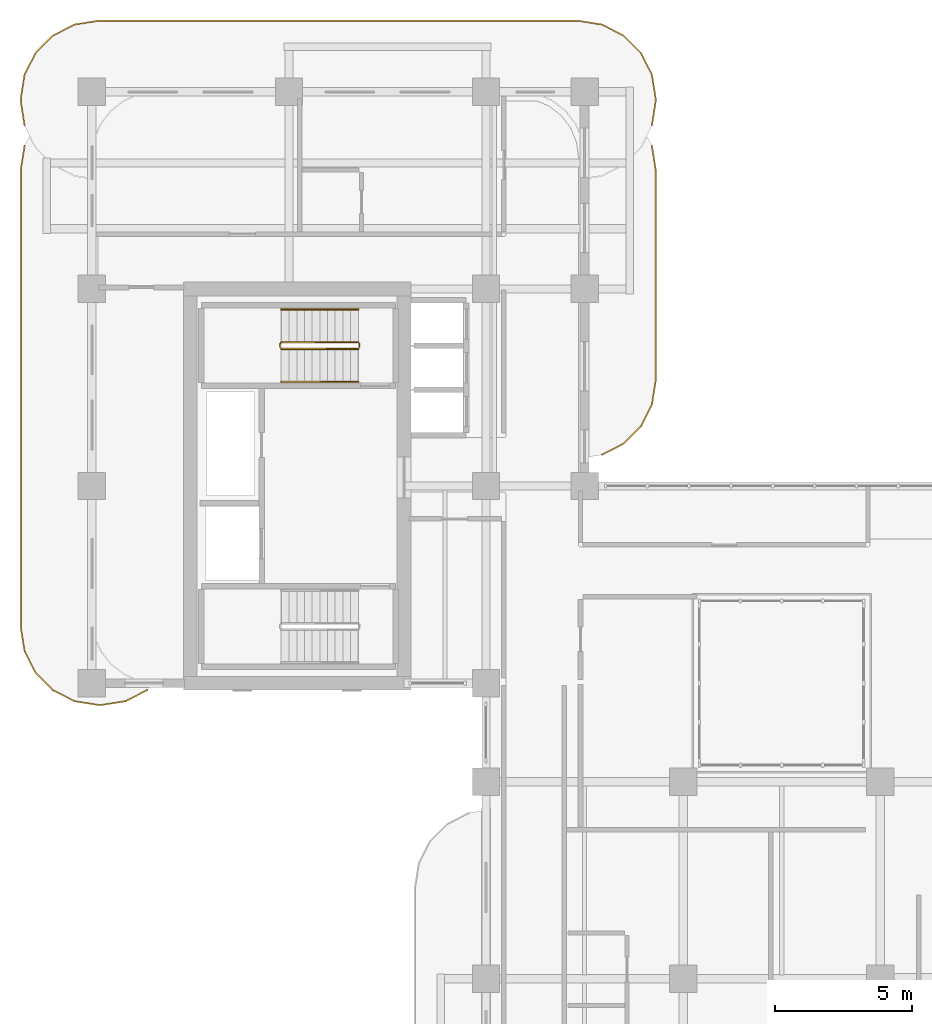
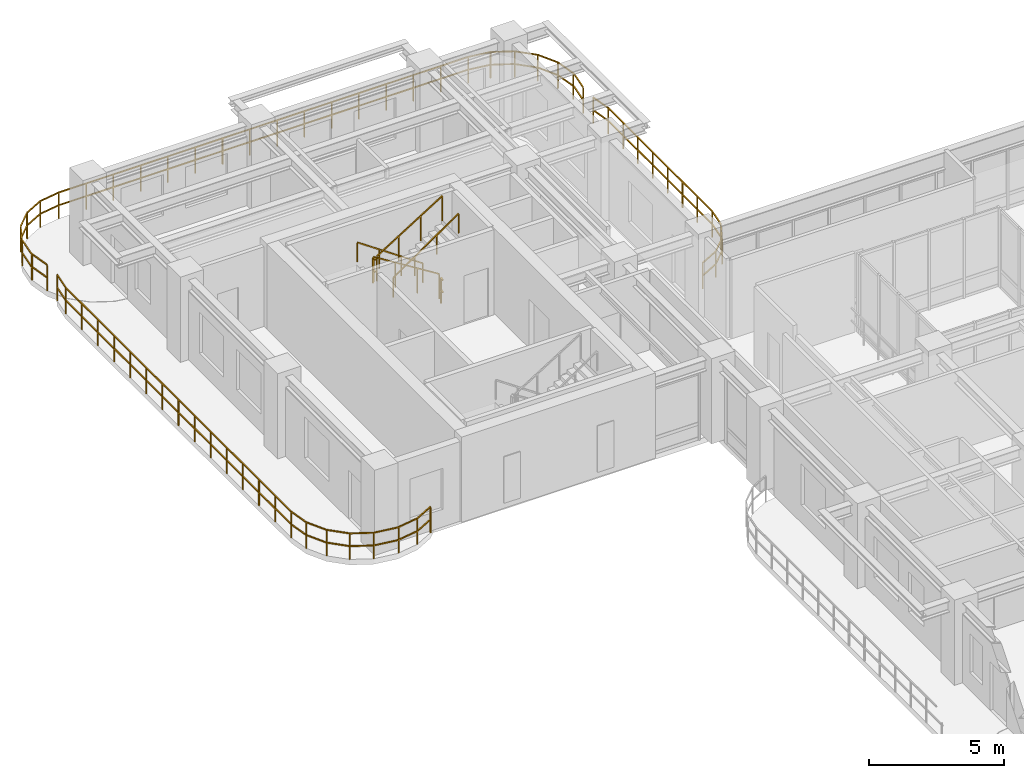
# One storey, part 20 of 20: 9 railings.
"""IFC4 building model written with IfcOpenShell, lengths in metres."""

from ifc_helpers import new_model, si_unit, derived_unit, direction, frame, origin, origin_2d, place, context, subcontext, project, spatial, rectangle, extrude, material, type_object, element, save


model = new_model("IFC4")

# Units and contexts
model_context = context("Model", 3, precision=1e-05, world=origin(), true_north=direction((0.0, 1.0)))
body_context = subcontext(model_context, "Body", "Model", "MODEL_VIEW")
ifc_project = project(units=[si_unit("LENGTHUNIT", "METRE"), si_unit("AREAUNIT", "SQUARE_METRE"), si_unit("VOLUMEUNIT", "CUBIC_METRE"), si_unit("PLANEANGLEUNIT", "RADIAN"), si_unit("MASSUNIT", "GRAM", prefix="KILO"), si_unit("THERMODYNAMICTEMPERATUREUNIT", "KELVIN"), si_unit("POWERUNIT", "WATT"), derived_unit("THERMALTRANSMITTANCEUNIT", [(si_unit("POWERUNIT", "WATT"), 1), (si_unit("AREAUNIT", "SQUARE_METRE"), -1), (si_unit("THERMODYNAMICTEMPERATUREUNIT", "KELVIN"), -1)])], contexts=[model_context])

# Site, building, storey
site_placement = place(None, origin())
site = spatial("IfcSite", under=ifc_project, at=site_placement, CompositionType="ELEMENT")
building_placement = place(site_placement, origin())
building = spatial("IfcBuilding", under=site, at=building_placement, Name="Zahravan Archway Hotel and Residences", CompositionType="ELEMENT")
storey_placement = place(building_placement, frame((0.0, 0.0, 161.85009765625)))
storey = spatial("IfcBuildingStorey", under=building, at=storey_placement, Name="L40", CompositionType="ELEMENT", Elevation=161.85009765625)

# Railings
ifc_material_1 = material(Name="Bronze & Laminated Glass Balustrade", Category="glass")
railing_type_1 = type_object("IfcRailingType", Name="RL-BAL-1200", PredefinedType="BALUSTRADE", material=ifc_material_1)
railing_1_placement = place(storey_placement, frame((-2.46044921875, 45.5693359375, 0.0)))
element("IfcRailing", 1, at=railing_1_placement, inside=storey, type_object=railing_type_1, Name="L40 Balustrade RL-SLB-BAL-L40-NB-1", PredefinedType="BALUSTRADE", context=body_context, shape_type="SweptSolid", body=[
    extrude(rectangle(XDim=0.048095703125, YDim=0.048095703125, at=origin_2d()), frame((0.0, 0.0, 1.17578125), z_axis=(-0.156623399917, 0.987658397726, 0.0), x_axis=(-0.987658397726, -0.156623399917, 0.0)), (0.0, 0.0, 1.0), 0.8916015625),
    extrude(rectangle(XDim=0.048095703125, YDim=0.048095703125, at=origin_2d()), frame((0.0, 0.0, 0.60009765625), z_axis=(-0.156623399917, 0.987658397726, 0.0), x_axis=(-0.987658397726, -0.156623399917, 0.0)), (0.0, 0.0, 1.0), 0.8916015625),
    extrude(rectangle(XDim=0.048095703125, YDim=0.048095703125, at=origin_2d()), frame((-0.1396484375, 0.880615234375, 1.17578125), z_axis=(0.0, 1.0, 0.0), x_axis=(-1.0, 0.0, 0.0)), (0.0, 0.0, 1.0), 0.10009765625),
    extrude(rectangle(XDim=0.048095703125, YDim=0.048095703125, at=origin_2d()), frame((-0.1396484375, 0.880615234375, 0.60009765625), z_axis=(0.0, 1.0, 0.0), x_axis=(-1.0, 0.0, 0.0)), (0.0, 0.0, 1.0), 0.10009765625),
    extrude(rectangle(XDim=0.048095703125, YDim=0.048095703125, at=origin_2d()), frame((-0.1396484375, 0.980712890625, 1.17578125), z_axis=(0.156623399917, 0.987658397726, 0.0), x_axis=(-0.987658397726, 0.156623399917, 0.0)), (0.0, 0.0, 1.0), 0.8916015625),
    extrude(rectangle(XDim=0.048095703125, YDim=0.048095703125, at=origin_2d()), frame((-0.1396484375, 0.980712890625, 0.60009765625), z_axis=(0.156623399917, 0.987658397726, 0.0), x_axis=(-0.987658397726, 0.156623399917, 0.0)), (0.0, 0.0, 1.0), 0.8916015625),
    extrude(rectangle(XDim=0.048095703125, YDim=0.048095703125, at=origin_2d()), frame((0.0, 1.861328125, 1.17578125), z_axis=(0.453991409995, 0.891006060389, 0.0), x_axis=(-0.891006060389, 0.453991409995, 0.0)), (0.0, 0.0, 1.0), 0.8916015625),
    extrude(rectangle(XDim=0.048095703125, YDim=0.048095703125, at=origin_2d()), frame((0.0, 1.861328125, 0.60009765625), z_axis=(0.453991409995, 0.891006060389, 0.0), x_axis=(-0.891006060389, 0.453991409995, 0.0)), (0.0, 0.0, 1.0), 0.8916015625),
    extrude(rectangle(XDim=0.048095703125, YDim=0.048095703125, at=origin_2d()), frame((0.40478515625, 2.65576171875, 1.17578125), z_axis=(0.706969864397, 0.70724367147, 0.0), x_axis=(-0.70724367147, 0.706969864397, 0.0)), (0.0, 0.0, 1.0), 0.8916015625),
    extrude(rectangle(XDim=0.048095703125, YDim=0.048095703125, at=origin_2d()), frame((0.40478515625, 2.65576171875, 0.60009765625), z_axis=(0.706969864397, 0.70724367147, 0.0), x_axis=(-0.70724367147, 0.706969864397, 0.0)), (0.0, 0.0, 1.0), 0.8916015625),
    extrude(rectangle(XDim=0.048095703125, YDim=0.048095703125, at=origin_2d()), frame((1.03515625, 3.286376953125, 1.17578125), z_axis=(0.891062476022, 0.45388067135, 0.0), x_axis=(-0.45388067135, 0.891062476022, 0.0)), (0.0, 0.0, 1.0), 0.891845703125),
    extrude(rectangle(XDim=0.048095703125, YDim=0.048095703125, at=origin_2d()), frame((1.03515625, 3.286376953125, 0.60009765625), z_axis=(0.891062476022, 0.45388067135, 0.0), x_axis=(-0.45388067135, 0.891062476022, 0.0)), (0.0, 0.0, 1.0), 0.891845703125),
    extrude(rectangle(XDim=0.048095703125, YDim=0.048095703125, at=origin_2d()), frame((1.829833984375, 3.691162109375, 1.17578125), z_axis=(0.987700720307, 0.156356282588, 0.0), x_axis=(-0.156356282588, 0.987700720307, 0.0)), (0.0, 0.0, 1.0), 0.8916015625),
    extrude(rectangle(XDim=0.048095703125, YDim=0.048095703125, at=origin_2d()), frame((1.829833984375, 3.691162109375, 0.60009765625), z_axis=(0.987700720307, 0.156356282588, 0.0), x_axis=(-0.156356282588, 0.987700720307, 0.0)), (0.0, 0.0, 1.0), 0.8916015625),
    extrude(rectangle(XDim=0.048095703125, YDim=0.048095703125, at=origin_2d()), frame((2.71044921875, 3.83056640625, 1.17578125), z_axis=(1.0, 0.0, 0.0), x_axis=(0.0, 1.0, 0.0)), (0.0, 0.0, 1.0), 17.5),
    extrude(rectangle(XDim=0.048095703125, YDim=0.048095703125, at=origin_2d()), frame((2.71044921875, 3.83056640625, 0.60009765625), z_axis=(1.0, 0.0, 0.0), x_axis=(0.0, 1.0, 0.0)), (0.0, 0.0, 1.0), 17.5),
    extrude(rectangle(XDim=0.048095703125, YDim=0.048095703125, at=origin_2d()), frame((20.21044921875, 3.83056640625, 1.17578125), z_axis=(0.987700720307, -0.156356282588, 0.0), x_axis=(0.156356282588, 0.987700720307, 0.0)), (0.0, 0.0, 1.0), 0.8916015625),
    extrude(rectangle(XDim=0.048095703125, YDim=0.048095703125, at=origin_2d()), frame((20.21044921875, 3.83056640625, 0.60009765625), z_axis=(0.987700720307, -0.156356282588, 0.0), x_axis=(0.156356282588, 0.987700720307, 0.0)), (0.0, 0.0, 1.0), 0.8916015625),
    extrude(rectangle(XDim=0.048095703125, YDim=0.048095703125, at=origin_2d()), frame((21.091064453125, 3.691162109375, 1.17578125), z_axis=(0.891062476022, -0.45388067135, 0.0), x_axis=(0.45388067135, 0.891062476022, 0.0)), (0.0, 0.0, 1.0), 0.891845703125),
    extrude(rectangle(XDim=0.048095703125, YDim=0.048095703125, at=origin_2d()), frame((21.091064453125, 3.691162109375, 0.60009765625), z_axis=(0.891062476022, -0.45388067135, 0.0), x_axis=(0.45388067135, 0.891062476022, 0.0)), (0.0, 0.0, 1.0), 0.891845703125),
    extrude(rectangle(XDim=0.048095703125, YDim=0.048095703125, at=origin_2d()), frame((21.8857421875, 3.286376953125, 1.17578125), z_axis=(0.706969864397, -0.70724367147, 0.0), x_axis=(0.70724367147, 0.706969864397, 0.0)), (0.0, 0.0, 1.0), 0.8916015625),
    extrude(rectangle(XDim=0.048095703125, YDim=0.048095703125, at=origin_2d()), frame((21.8857421875, 3.286376953125, 0.60009765625), z_axis=(0.706969864397, -0.70724367147, 0.0), x_axis=(0.70724367147, 0.706969864397, 0.0)), (0.0, 0.0, 1.0), 0.8916015625),
    extrude(rectangle(XDim=0.048095703125, YDim=0.048095703125, at=origin_2d()), frame((22.51611328125, 2.65576171875, 1.17578125), z_axis=(0.453991409995, -0.891006060389, 0.0), x_axis=(0.891006060389, 0.453991409995, 0.0)), (0.0, 0.0, 1.0), 0.8916015625),
    extrude(rectangle(XDim=0.048095703125, YDim=0.048095703125, at=origin_2d()), frame((22.51611328125, 2.65576171875, 0.60009765625), z_axis=(0.453991409995, -0.891006060389, 0.0), x_axis=(0.891006060389, 0.453991409995, 0.0)), (0.0, 0.0, 1.0), 0.8916015625),
    extrude(rectangle(XDim=0.048095703125, YDim=0.048095703125, at=origin_2d()), frame((22.9208984375, 1.861328125, 1.17578125), z_axis=(0.156623399917, -0.987658397726, 0.0), x_axis=(0.987658397726, 0.156623399917, 0.0)), (0.0, 0.0, 1.0), 0.8916015625),
    extrude(rectangle(XDim=0.048095703125, YDim=0.048095703125, at=origin_2d()), frame((22.9208984375, 1.861328125, 0.60009765625), z_axis=(0.156623399917, -0.987658397726, 0.0), x_axis=(0.987658397726, 0.156623399917, 0.0)), (0.0, 0.0, 1.0), 0.8916015625),
    extrude(rectangle(XDim=0.048095703125, YDim=0.048095703125, at=origin_2d()), frame((23.060546875, 0.980712890625, 1.17578125), z_axis=(0.0, -1.0, 0.0), x_axis=(1.0, 0.0, 0.0)), (0.0, 0.0, 1.0), 0.10009765625),
    extrude(rectangle(XDim=0.048095703125, YDim=0.048095703125, at=origin_2d()), frame((23.060546875, 0.980712890625, 0.60009765625), z_axis=(0.0, -1.0, 0.0), x_axis=(1.0, 0.0, 0.0)), (0.0, 0.0, 1.0), 0.10009765625),
    extrude(rectangle(XDim=0.048095703125, YDim=0.048095703125, at=origin_2d()), frame((23.060546875, 0.880615234375, 1.17578125), z_axis=(-0.156623399917, -0.987658397726, 0.0), x_axis=(0.987658397726, -0.156623399917, 0.0)), (0.0, 0.0, 1.0), 0.8916015625),
    extrude(rectangle(XDim=0.048095703125, YDim=0.048095703125, at=origin_2d()), frame((23.060546875, 0.880615234375, 0.60009765625), z_axis=(-0.156623399917, -0.987658397726, 0.0), x_axis=(0.987658397726, -0.156623399917, 0.0)), (0.0, 0.0, 1.0), 0.8916015625),
    extrude(rectangle(XDim=0.0419921875, YDim=0.0419921875, at=origin_2d()), origin(), (0.0, 0.0, 1.0), 1.15185546875),
    extrude(rectangle(XDim=0.0419921875, YDim=0.0419921875, at=origin_2d()), frame((-0.1396484375, 0.880615234375, 0.0)), (0.0, 0.0, 1.0), 1.15185546875),
    extrude(rectangle(XDim=0.0419921875, YDim=0.0419921875, at=origin_2d()), frame((0.0, 1.861328125, 0.0)), (0.0, 0.0, 1.0), 1.15185546875),
    extrude(rectangle(XDim=0.0419921875, YDim=0.0419921875, at=origin_2d()), frame((0.40478515625, 2.65576171875, 0.0)), (0.0, 0.0, 1.0), 1.15185546875),
    extrude(rectangle(XDim=0.0419921875, YDim=0.0419921875, at=origin_2d()), frame((1.03515625, 3.286376953125, 0.0)), (0.0, 0.0, 1.0), 1.15185546875),
    extrude(rectangle(XDim=0.0419921875, YDim=0.0419921875, at=origin_2d()), frame((1.829833984375, 3.691162109375, 0.0)), (0.0, 0.0, 1.0), 1.15185546875),
    extrude(rectangle(XDim=0.0419921875, YDim=0.0419921875, at=origin_2d()), frame((2.71044921875, 3.83056640625, 0.0)), (0.0, 0.0, 1.0), 1.15185546875),
    extrude(rectangle(XDim=0.0419921875, YDim=0.0419921875, at=origin_2d()), frame((3.877197265625, 3.83056640625, 0.0)), (0.0, 0.0, 1.0), 1.15185546875),
    extrude(rectangle(XDim=0.0419921875, YDim=0.0419921875, at=origin_2d()), frame((5.043701171875, 3.83056640625, 0.0)), (0.0, 0.0, 1.0), 1.15185546875),
    extrude(rectangle(XDim=0.0419921875, YDim=0.0419921875, at=origin_2d()), frame((6.21044921875, 3.83056640625, 0.0)), (0.0, 0.0, 1.0), 1.15185546875),
    extrude(rectangle(XDim=0.0419921875, YDim=0.0419921875, at=origin_2d()), frame((7.377197265625, 3.83056640625, 0.0)), (0.0, 0.0, 1.0), 1.15185546875),
    extrude(rectangle(XDim=0.0419921875, YDim=0.0419921875, at=origin_2d()), frame((8.543701171875, 3.83056640625, 0.0)), (0.0, 0.0, 1.0), 1.15185546875),
    extrude(rectangle(XDim=0.0419921875, YDim=0.0419921875, at=origin_2d()), frame((9.71044921875, 3.83056640625, 0.0)), (0.0, 0.0, 1.0), 1.15185546875),
    extrude(rectangle(XDim=0.0419921875, YDim=0.0419921875, at=origin_2d()), frame((10.877197265625, 3.83056640625, 0.0)), (0.0, 0.0, 1.0), 1.15185546875),
    extrude(rectangle(XDim=0.0419921875, YDim=0.0419921875, at=origin_2d()), frame((12.043701171875, 3.83056640625, 0.0)), (0.0, 0.0, 1.0), 1.15185546875),
    extrude(rectangle(XDim=0.0419921875, YDim=0.0419921875, at=origin_2d()), frame((13.21044921875, 3.83056640625, 0.0)), (0.0, 0.0, 1.0), 1.15185546875),
    extrude(rectangle(XDim=0.0419921875, YDim=0.0419921875, at=origin_2d()), frame((14.377197265625, 3.83056640625, 0.0)), (0.0, 0.0, 1.0), 1.15185546875),
    extrude(rectangle(XDim=0.0419921875, YDim=0.0419921875, at=origin_2d()), frame((15.543701171875, 3.83056640625, 0.0)), (0.0, 0.0, 1.0), 1.15185546875),
    extrude(rectangle(XDim=0.0419921875, YDim=0.0419921875, at=origin_2d()), frame((16.71044921875, 3.83056640625, 0.0)), (0.0, 0.0, 1.0), 1.15185546875),
    extrude(rectangle(XDim=0.0419921875, YDim=0.0419921875, at=origin_2d()), frame((17.877197265625, 3.83056640625, 0.0)), (0.0, 0.0, 1.0), 1.15185546875),
    extrude(rectangle(XDim=0.0419921875, YDim=0.0419921875, at=origin_2d()), frame((19.043701171875, 3.83056640625, 0.0)), (0.0, 0.0, 1.0), 1.15185546875),
    extrude(rectangle(XDim=0.0419921875, YDim=0.0419921875, at=origin_2d()), frame((20.21044921875, 3.83056640625, 0.0)), (0.0, 0.0, 1.0), 1.15185546875),
    extrude(rectangle(XDim=0.0419921875, YDim=0.0419921875, at=origin_2d()), frame((21.091064453125, 3.691162109375, 0.0)), (0.0, 0.0, 1.0), 1.15185546875),
    extrude(rectangle(XDim=0.0419921875, YDim=0.0419921875, at=origin_2d()), frame((21.8857421875, 3.286376953125, 0.0)), (0.0, 0.0, 1.0), 1.15185546875),
    extrude(rectangle(XDim=0.0419921875, YDim=0.0419921875, at=origin_2d()), frame((22.51611328125, 2.65576171875, 0.0)), (0.0, 0.0, 1.0), 1.15185546875),
    extrude(rectangle(XDim=0.0419921875, YDim=0.0419921875, at=origin_2d()), frame((22.9208984375, 1.861328125, 0.0)), (0.0, 0.0, 1.0), 1.15185546875),
    extrude(rectangle(XDim=0.0419921875, YDim=0.0419921875, at=origin_2d()), frame((23.060546875, 0.980712890625, 0.0)), (0.0, 0.0, 1.0), 1.15185546875),
    extrude(rectangle(XDim=0.0419921875, YDim=0.0419921875, at=origin_2d()), frame((22.9208984375, 0.0, 0.0)), (0.0, 0.0, 1.0), 1.15185546875),
])
railing_2_placement = place(storey_placement, frame((2.025146484375, 24.9443359375, 0.0)))
element("IfcRailing", 2, at=railing_2_placement, inside=storey, type_object=railing_type_1, Name="L40 Balustrade RL-SLB-BAL-L40-WB-1", PredefinedType="BALUSTRADE", context=body_context, shape_type="SweptSolid", body=[
    extrude(rectangle(XDim=0.048095703125, YDim=0.048095703125, at=origin_2d()), frame((0.0, 0.0, 1.17578125), z_axis=(-0.891006060389, -0.453991409995, 0.0), x_axis=(0.453991409995, -0.891006060389, 0.0)), (0.0, 0.0, 1.0), 0.8916015625),
    extrude(rectangle(XDim=0.048095703125, YDim=0.048095703125, at=origin_2d()), frame((0.0, 0.0, 0.60009765625), z_axis=(-0.891006060389, -0.453991409995, 0.0), x_axis=(0.453991409995, -0.891006060389, 0.0)), (0.0, 0.0, 1.0), 0.8916015625),
    extrude(rectangle(XDim=0.048095703125, YDim=0.048095703125, at=origin_2d()), frame((-0.79443359375, -0.40478515625, 1.17578125), z_axis=(-0.987658397726, -0.156623399917, 0.0), x_axis=(0.156623399917, -0.987658397726, 0.0)), (0.0, 0.0, 1.0), 0.8916015625),
    extrude(rectangle(XDim=0.048095703125, YDim=0.048095703125, at=origin_2d()), frame((-0.79443359375, -0.40478515625, 0.60009765625), z_axis=(-0.987658397726, -0.156623399917, 0.0), x_axis=(0.156623399917, -0.987658397726, 0.0)), (0.0, 0.0, 1.0), 0.8916015625),
    extrude(rectangle(XDim=0.048095703125, YDim=0.048095703125, at=origin_2d()), frame((-1.675048828125, -0.54443359375, 1.17578125), z_axis=(-1.0, 0.0, 0.0), x_axis=(0.0, -1.0, 0.0)), (0.0, 0.0, 1.0), 0.10009765625),
    extrude(rectangle(XDim=0.048095703125, YDim=0.048095703125, at=origin_2d()), frame((-1.675048828125, -0.54443359375, 0.60009765625), z_axis=(-1.0, 0.0, 0.0), x_axis=(0.0, -1.0, 0.0)), (0.0, 0.0, 1.0), 0.10009765625),
    extrude(rectangle(XDim=0.048095703125, YDim=0.048095703125, at=origin_2d()), frame((-1.775146484375, -0.54443359375, 1.17578125), z_axis=(-0.987658397726, 0.156623399917, 0.0), x_axis=(-0.156623399917, -0.987658397726, 0.0)), (0.0, 0.0, 1.0), 0.8916015625),
    extrude(rectangle(XDim=0.048095703125, YDim=0.048095703125, at=origin_2d()), frame((-1.775146484375, -0.54443359375, 0.60009765625), z_axis=(-0.987658397726, 0.156623399917, 0.0), x_axis=(-0.156623399917, -0.987658397726, 0.0)), (0.0, 0.0, 1.0), 0.8916015625),
    extrude(rectangle(XDim=0.048095703125, YDim=0.048095703125, at=origin_2d()), frame((-2.65576171875, -0.40478515625, 1.17578125), z_axis=(-0.891062476022, 0.45388067135, 0.0), x_axis=(-0.45388067135, -0.891062476022, 0.0)), (0.0, 0.0, 1.0), 0.891845703125),
    extrude(rectangle(XDim=0.048095703125, YDim=0.048095703125, at=origin_2d()), frame((-2.65576171875, -0.40478515625, 0.60009765625), z_axis=(-0.891062476022, 0.45388067135, 0.0), x_axis=(-0.45388067135, -0.891062476022, 0.0)), (0.0, 0.0, 1.0), 0.891845703125),
    extrude(rectangle(XDim=0.048095703125, YDim=0.048095703125, at=origin_2d()), frame((-3.450439453125, 0.0, 1.17578125), z_axis=(-0.707106781187, 0.707106781187, 0.0), x_axis=(-0.707106781187, -0.707106781187, 0.0)), (0.0, 0.0, 1.0), 0.891357421875),
    extrude(rectangle(XDim=0.048095703125, YDim=0.048095703125, at=origin_2d()), frame((-3.450439453125, 0.0, 0.60009765625), z_axis=(-0.707106781187, 0.707106781187, 0.0), x_axis=(-0.707106781187, -0.707106781187, 0.0)), (0.0, 0.0, 1.0), 0.891357421875),
    extrude(rectangle(XDim=0.048095703125, YDim=0.048095703125, at=origin_2d()), frame((-4.080810546875, 0.63037109375, 1.17578125), z_axis=(-0.45388067135, 0.891062476022, 0.0), x_axis=(-0.891062476022, -0.45388067135, 0.0)), (0.0, 0.0, 1.0), 0.891845703125),
    extrude(rectangle(XDim=0.048095703125, YDim=0.048095703125, at=origin_2d()), frame((-4.080810546875, 0.63037109375, 0.60009765625), z_axis=(-0.45388067135, 0.891062476022, 0.0), x_axis=(-0.891062476022, -0.45388067135, 0.0)), (0.0, 0.0, 1.0), 0.891845703125),
    extrude(rectangle(XDim=0.048095703125, YDim=0.048095703125, at=origin_2d()), frame((-4.485595703125, 1.425048828125, 1.17578125), z_axis=(-0.156623399917, 0.987658397726, 0.0), x_axis=(-0.987658397726, -0.156623399917, 0.0)), (0.0, 0.0, 1.0), 0.8916015625),
    extrude(rectangle(XDim=0.048095703125, YDim=0.048095703125, at=origin_2d()), frame((-4.485595703125, 1.425048828125, 0.60009765625), z_axis=(-0.156623399917, 0.987658397726, 0.0), x_axis=(-0.987658397726, -0.156623399917, 0.0)), (0.0, 0.0, 1.0), 0.8916015625),
    extrude(rectangle(XDim=0.048095703125, YDim=0.048095703125, at=origin_2d()), frame((-4.625244140625, 2.3056640625, 1.17578125), z_axis=(0.0, 1.0, 0.0), x_axis=(-1.0, 0.0, 0.0)), (0.0, 0.0, 1.0), 16.699951171875),
    extrude(rectangle(XDim=0.048095703125, YDim=0.048095703125, at=origin_2d()), frame((-4.625244140625, 2.3056640625, 0.60009765625), z_axis=(0.0, 1.0, 0.0), x_axis=(-1.0, 0.0, 0.0)), (0.0, 0.0, 1.0), 16.699951171875),
    extrude(rectangle(XDim=0.048095703125, YDim=0.048095703125, at=origin_2d()), frame((-4.625244140625, 19.005615234375, 1.17578125), z_axis=(0.156581054338, 0.98766511198, 0.0), x_axis=(-0.98766511198, 0.156581054338, 0.0)), (0.0, 0.0, 1.0), 0.891845703125),
    extrude(rectangle(XDim=0.048095703125, YDim=0.048095703125, at=origin_2d()), frame((-4.625244140625, 19.005615234375, 0.60009765625), z_axis=(0.156581054338, 0.98766511198, 0.0), x_axis=(-0.98766511198, 0.156581054338, 0.0)), (0.0, 0.0, 1.0), 0.891845703125),
    extrude(rectangle(XDim=0.0419921875, YDim=0.0419921875, at=origin_2d()), origin(), (0.0, 0.0, 1.0), 1.15185546875),
    extrude(rectangle(XDim=0.0419921875, YDim=0.0419921875, at=origin_2d()), frame((-0.79443359375, -0.40478515625, 0.0)), (0.0, 0.0, 1.0), 1.15185546875),
    extrude(rectangle(XDim=0.0419921875, YDim=0.0419921875, at=origin_2d()), frame((-1.675048828125, -0.54443359375, 0.0)), (0.0, 0.0, 1.0), 1.15185546875),
    extrude(rectangle(XDim=0.0419921875, YDim=0.0419921875, at=origin_2d()), frame((-2.65576171875, -0.40478515625, 0.0)), (0.0, 0.0, 1.0), 1.15185546875),
    extrude(rectangle(XDim=0.0419921875, YDim=0.0419921875, at=origin_2d()), frame((-3.450439453125, 0.0, 0.0)), (0.0, 0.0, 1.0), 1.15185546875),
    extrude(rectangle(XDim=0.0419921875, YDim=0.0419921875, at=origin_2d()), frame((-4.080810546875, 0.63037109375, 0.0)), (0.0, 0.0, 1.0), 1.15185546875),
    extrude(rectangle(XDim=0.0419921875, YDim=0.0419921875, at=origin_2d()), frame((-4.485595703125, 1.425048828125, 0.0)), (0.0, 0.0, 1.0), 1.15185546875),
    extrude(rectangle(XDim=0.0419921875, YDim=0.0419921875, at=origin_2d()), frame((-4.625244140625, 2.3056640625, 0.0)), (0.0, 0.0, 1.0), 1.15185546875),
    extrude(rectangle(XDim=0.0419921875, YDim=0.0419921875, at=origin_2d()), frame((-4.625244140625, 3.49853515625, 0.0)), (0.0, 0.0, 1.0), 1.15185546875),
    extrude(rectangle(XDim=0.0419921875, YDim=0.0419921875, at=origin_2d()), frame((-4.625244140625, 4.69140625, 0.0)), (0.0, 0.0, 1.0), 1.15185546875),
    extrude(rectangle(XDim=0.0419921875, YDim=0.0419921875, at=origin_2d()), frame((-4.625244140625, 5.88427734375, 0.0)), (0.0, 0.0, 1.0), 1.15185546875),
    extrude(rectangle(XDim=0.0419921875, YDim=0.0419921875, at=origin_2d()), frame((-4.625244140625, 7.0771484375, 0.0)), (0.0, 0.0, 1.0), 1.15185546875),
    extrude(rectangle(XDim=0.0419921875, YDim=0.0419921875, at=origin_2d()), frame((-4.625244140625, 8.27001953125, 0.0)), (0.0, 0.0, 1.0), 1.15185546875),
    extrude(rectangle(XDim=0.0419921875, YDim=0.0419921875, at=origin_2d()), frame((-4.625244140625, 9.462890625, 0.0)), (0.0, 0.0, 1.0), 1.15185546875),
    extrude(rectangle(XDim=0.0419921875, YDim=0.0419921875, at=origin_2d()), frame((-4.625244140625, 10.65576171875, 0.0)), (0.0, 0.0, 1.0), 1.15185546875),
    extrude(rectangle(XDim=0.0419921875, YDim=0.0419921875, at=origin_2d()), frame((-4.625244140625, 11.848388671875, 0.0)), (0.0, 0.0, 1.0), 1.15185546875),
    extrude(rectangle(XDim=0.0419921875, YDim=0.0419921875, at=origin_2d()), frame((-4.625244140625, 13.041259765625, 0.0)), (0.0, 0.0, 1.0), 1.15185546875),
    extrude(rectangle(XDim=0.0419921875, YDim=0.0419921875, at=origin_2d()), frame((-4.625244140625, 14.234130859375, 0.0)), (0.0, 0.0, 1.0), 1.15185546875),
    extrude(rectangle(XDim=0.0419921875, YDim=0.0419921875, at=origin_2d()), frame((-4.625244140625, 15.427001953125, 0.0)), (0.0, 0.0, 1.0), 1.15185546875),
    extrude(rectangle(XDim=0.0419921875, YDim=0.0419921875, at=origin_2d()), frame((-4.625244140625, 16.619873046875, 0.0)), (0.0, 0.0, 1.0), 1.15185546875),
    extrude(rectangle(XDim=0.0419921875, YDim=0.0419921875, at=origin_2d()), frame((-4.625244140625, 17.812744140625, 0.0)), (0.0, 0.0, 1.0), 1.15185546875),
    extrude(rectangle(XDim=0.0419921875, YDim=0.0419921875, at=origin_2d()), frame((-4.625244140625, 19.005615234375, 0.0)), (0.0, 0.0, 1.0), 1.15185546875),
    extrude(rectangle(XDim=0.0419921875, YDim=0.0419921875, at=origin_2d()), frame((-4.485595703125, 19.886474609375, 0.0)), (0.0, 0.0, 1.0), 1.15185546875),
])
railing_3_placement = place(storey_placement, frame((20.46044921875, 44.830810546875, 0.0)))
element("IfcRailing", 3, at=railing_3_placement, inside=storey, type_object=railing_type_1, Name="L40 Balustrade RL-SLB-BAL-L40-EB-1", PredefinedType="BALUSTRADE", context=body_context, shape_type="SweptSolid", body=[
    extrude(rectangle(XDim=0.048095703125, YDim=0.048095703125, at=origin_2d()), frame((0.0, 0.0, 1.17578125), z_axis=(0.156581054338, -0.98766511198, 0.0), x_axis=(0.98766511198, 0.156581054338, 0.0)), (0.0, 0.0, 1.0), 0.891845703125),
    extrude(rectangle(XDim=0.048095703125, YDim=0.048095703125, at=origin_2d()), frame((0.0, 0.0, 0.60009765625), z_axis=(0.156581054338, -0.98766511198, 0.0), x_axis=(0.98766511198, 0.156581054338, 0.0)), (0.0, 0.0, 1.0), 0.891845703125),
    extrude(rectangle(XDim=0.048095703125, YDim=0.048095703125, at=origin_2d()), frame((0.1396484375, -0.880859375, 1.17578125), z_axis=(0.0, -1.0, 0.0), x_axis=(1.0, 0.0, 0.0)), (0.0, 0.0, 1.0), 7.699951171875),
    extrude(rectangle(XDim=0.048095703125, YDim=0.048095703125, at=origin_2d()), frame((0.1396484375, -0.880859375, 0.60009765625), z_axis=(0.0, -1.0, 0.0), x_axis=(1.0, 0.0, 0.0)), (0.0, 0.0, 1.0), 7.699951171875),
    extrude(rectangle(XDim=0.048095703125, YDim=0.048095703125, at=origin_2d()), frame((0.1396484375, -8.580810546875, 1.17578125), z_axis=(-0.156623399917, -0.987658397726, 0.0), x_axis=(0.987658397726, -0.156623399917, 0.0)), (0.0, 0.0, 1.0), 0.8916015625),
    extrude(rectangle(XDim=0.048095703125, YDim=0.048095703125, at=origin_2d()), frame((0.1396484375, -8.580810546875, 0.60009765625), z_axis=(-0.156623399917, -0.987658397726, 0.0), x_axis=(0.987658397726, -0.156623399917, 0.0)), (0.0, 0.0, 1.0), 0.8916015625),
    extrude(rectangle(XDim=0.048095703125, YDim=0.048095703125, at=origin_2d()), frame((0.0, -9.46142578125, 1.17578125), z_axis=(-0.45388067135, -0.891062476022, 0.0), x_axis=(0.891062476022, -0.45388067135, 0.0)), (0.0, 0.0, 1.0), 0.891845703125),
    extrude(rectangle(XDim=0.048095703125, YDim=0.048095703125, at=origin_2d()), frame((0.0, -9.46142578125, 0.60009765625), z_axis=(-0.45388067135, -0.891062476022, 0.0), x_axis=(0.891062476022, -0.45388067135, 0.0)), (0.0, 0.0, 1.0), 0.891845703125),
    extrude(rectangle(XDim=0.048095703125, YDim=0.048095703125, at=origin_2d()), frame((-0.40478515625, -10.256103515625, 1.17578125), z_axis=(-0.707106781187, -0.707106781187, 0.0), x_axis=(0.707106781187, -0.707106781187, 0.0)), (0.0, 0.0, 1.0), 0.891357421875),
    extrude(rectangle(XDim=0.048095703125, YDim=0.048095703125, at=origin_2d()), frame((-0.40478515625, -10.256103515625, 0.60009765625), z_axis=(-0.707106781187, -0.707106781187, 0.0), x_axis=(0.707106781187, -0.707106781187, 0.0)), (0.0, 0.0, 1.0), 0.891357421875),
    extrude(rectangle(XDim=0.048095703125, YDim=0.048095703125, at=origin_2d()), frame((-1.03515625, -10.886474609375, 1.17578125), z_axis=(-0.891062476022, -0.45388067135, 0.0), x_axis=(0.45388067135, -0.891062476022, 0.0)), (0.0, 0.0, 1.0), 0.891845703125),
    extrude(rectangle(XDim=0.048095703125, YDim=0.048095703125, at=origin_2d()), frame((-1.03515625, -10.886474609375, 0.60009765625), z_axis=(-0.891062476022, -0.45388067135, 0.0), x_axis=(0.45388067135, -0.891062476022, 0.0)), (0.0, 0.0, 1.0), 0.891845703125),
    extrude(rectangle(XDim=0.0419921875, YDim=0.0419921875, at=origin_2d()), origin(), (0.0, 0.0, 1.0), 1.15185546875),
    extrude(rectangle(XDim=0.0419921875, YDim=0.0419921875, at=origin_2d()), frame((0.1396484375, -0.880859375, 0.0)), (0.0, 0.0, 1.0), 1.15185546875),
    extrude(rectangle(XDim=0.0419921875, YDim=0.0419921875, at=origin_2d()), frame((0.1396484375, -1.98095703125, 0.0)), (0.0, 0.0, 1.0), 1.15185546875),
    extrude(rectangle(XDim=0.0419921875, YDim=0.0419921875, at=origin_2d()), frame((0.1396484375, -3.080810546875, 0.0)), (0.0, 0.0, 1.0), 1.15185546875),
    extrude(rectangle(XDim=0.0419921875, YDim=0.0419921875, at=origin_2d()), frame((0.1396484375, -4.180908203125, 0.0)), (0.0, 0.0, 1.0), 1.15185546875),
    extrude(rectangle(XDim=0.0419921875, YDim=0.0419921875, at=origin_2d()), frame((0.1396484375, -5.28076171875, 0.0)), (0.0, 0.0, 1.0), 1.15185546875),
    extrude(rectangle(XDim=0.0419921875, YDim=0.0419921875, at=origin_2d()), frame((0.1396484375, -6.380859375, 0.0)), (0.0, 0.0, 1.0), 1.15185546875),
    extrude(rectangle(XDim=0.0419921875, YDim=0.0419921875, at=origin_2d()), frame((0.1396484375, -7.480712890625, 0.0)), (0.0, 0.0, 1.0), 1.15185546875),
    extrude(rectangle(XDim=0.0419921875, YDim=0.0419921875, at=origin_2d()), frame((0.1396484375, -8.580810546875, 0.0)), (0.0, 0.0, 1.0), 1.15185546875),
    extrude(rectangle(XDim=0.0419921875, YDim=0.0419921875, at=origin_2d()), frame((0.0, -9.46142578125, 0.0)), (0.0, 0.0, 1.0), 1.15185546875),
    extrude(rectangle(XDim=0.0419921875, YDim=0.0419921875, at=origin_2d()), frame((-0.40478515625, -10.256103515625, 0.0)), (0.0, 0.0, 1.0), 1.15185546875),
    extrude(rectangle(XDim=0.0419921875, YDim=0.0419921875, at=origin_2d()), frame((-1.03515625, -10.886474609375, 0.0)), (0.0, 0.0, 1.0), 1.15185546875),
    extrude(rectangle(XDim=0.0419921875, YDim=0.0419921875, at=origin_2d()), frame((-1.829833984375, -11.291259765625, 0.0)), (0.0, 0.0, 1.0), 1.15185546875),
])
ifc_material_2 = material(Name="Painted Tubular Steel", Category="steel")
railing_type_2 = type_object("IfcRailingType", Name="RL-STG-1150", PredefinedType="GUARDRAIL", material=ifc_material_2)
railing_4_placement = place(storey_placement, frame((9.72998046875, 37.64990234375, 0.1748046875)))
element("IfcRailing", 4, at=railing_4_placement, inside=storey, type_object=railing_type_2, Name="L40 ST-B2 stair guard 1", PredefinedType="GUARDRAIL", context=body_context, shape_type="SweptSolid", body=[
    extrude(rectangle(XDim=0.048095703125, YDim=0.048095703125, at=origin_2d()), frame((0.0, 0.0, 1.1259765625), z_axis=(-0.848002457836, 0.0, 0.529992293815), x_axis=(0.0, -1.0, 0.0)), (0.0, 0.0, 1.0), 3.302001953125),
    extrude(rectangle(XDim=0.0419921875, YDim=0.0419921875, at=origin_2d()), origin(), (0.0, 0.0, 1.0), 1.101806640625),
    extrude(rectangle(XDim=0.0419921875, YDim=0.0419921875, at=origin_2d()), frame((-0.933349609375, 0.0, 0.583251953125)), (0.0, 0.0, 1.0), 1.101806640625),
    extrude(rectangle(XDim=0.0419921875, YDim=0.0419921875, at=origin_2d()), frame((-1.86669921875, 0.0, 1.166748046875)), (0.0, 0.0, 1.0), 1.101806640625),
    extrude(rectangle(XDim=0.0419921875, YDim=0.0419921875, at=origin_2d()), frame((-2.800048828125, 0.0, 1.75)), (0.0, 0.0, 1.0), 1.101806640625),
])
railing_5_placement = place(storey_placement, frame((6.8798828125, 37.60009765625, 1.9248046875)))
element("IfcRailing", 5, at=railing_5_placement, inside=storey, type_object=railing_type_2, Name="L40 ST-B2 stair guard 2", PredefinedType="GUARDRAIL", context=body_context, shape_type="SweptSolid", body=[
    extrude(rectangle(XDim=0.048095703125, YDim=0.048095703125, at=origin_2d()), frame((0.0, 0.0, 1.1259765625), z_axis=(0.0, -1.0, 0.0), x_axis=(1.0, 0.0, 0.0)), (0.0, 0.0, 1.0), 0.14013671875),
    extrude(rectangle(XDim=0.048095703125, YDim=0.048095703125, at=origin_2d()), frame((0.0, 0.0, 0.574951171875), z_axis=(0.0, -1.0, 0.0), x_axis=(1.0, 0.0, 0.0)), (0.0, 0.0, 1.0), 0.14013671875),
    extrude(rectangle(XDim=0.0419921875, YDim=0.0419921875, at=origin_2d()), origin(), (0.0, 0.0, 1.0), 1.101806640625),
])
railing_6_placement = place(storey_placement, frame((6.929931640625, 37.409912109375, 2.099853515625)))
element("IfcRailing", 6, at=railing_6_placement, inside=storey, type_object=railing_type_2, Name="L40 ST-B2 stair guard 3", PredefinedType="GUARDRAIL", context=body_context, shape_type="SweptSolid", body=[
    extrude(rectangle(XDim=0.048095703125, YDim=0.048095703125, at=origin_2d()), frame((0.0, 0.0, 1.1259765625), z_axis=(0.848002457836, 0.0, 0.529992293815), x_axis=(0.0, 1.0, 0.0)), (0.0, 0.0, 1.0), 3.302001953125),
    extrude(rectangle(XDim=0.0419921875, YDim=0.0419921875, at=origin_2d()), origin(), (0.0, 0.0, 1.0), 1.101806640625),
    extrude(rectangle(XDim=0.0419921875, YDim=0.0419921875, at=origin_2d()), frame((0.933349609375, 0.0, 0.583251953125)), (0.0, 0.0, 1.0), 1.101806640625),
    extrude(rectangle(XDim=0.0419921875, YDim=0.0419921875, at=origin_2d()), frame((1.86669921875, 0.0, 1.166748046875)), (0.0, 0.0, 1.0), 1.101806640625),
    extrude(rectangle(XDim=0.0419921875, YDim=0.0419921875, at=origin_2d()), frame((2.800048828125, 0.0, 1.75)), (0.0, 0.0, 1.0), 1.101806640625),
])
railing_7_placement = place(storey_placement, frame((9.780029296875, 37.60009765625, 0.0)))
element("IfcRailing", 7, at=railing_7_placement, inside=storey, type_object=railing_type_2, Name="L40 ST-B2 stair guard 4", PredefinedType="GUARDRAIL", context=body_context, shape_type="SweptSolid", body=[
    extrude(rectangle(XDim=0.048095703125, YDim=0.048095703125, at=origin_2d()), frame((0.0, 0.0, 1.1259765625), z_axis=(0.0, -1.0, 0.0), x_axis=(1.0, 0.0, 0.0)), (0.0, 0.0, 1.0), 0.14013671875),
    extrude(rectangle(XDim=0.048095703125, YDim=0.048095703125, at=origin_2d()), frame((0.0, 0.0, 0.574951171875), z_axis=(0.0, -1.0, 0.0), x_axis=(1.0, 0.0, 0.0)), (0.0, 0.0, 1.0), 0.14013671875),
    extrude(rectangle(XDim=0.0419921875, YDim=0.0419921875, at=origin_2d()), origin(), (0.0, 0.0, 1.0), 1.101806640625),
])
ifc_material_3 = material(Name="Brushed Stainless Steel", Category="steel")
railing_type_3 = type_object("IfcRailingType", Name="RL-STH-900", PredefinedType="HANDRAIL", material=ifc_material_3)
railing_8_placement = place(storey_placement, frame((9.72998046875, 38.85009765625, 0.1748046875)))
element("IfcRailing", 8, at=railing_8_placement, inside=storey, type_object=railing_type_3, Name="L40 ST-B2 stair handrail 1", PredefinedType="HANDRAIL", context=body_context, shape_type="SweptSolid", body=[
    extrude(rectangle(XDim=0.048095703125, YDim=0.048095703125, at=origin_2d()), frame((0.0, 0.0, 0.8759765625), z_axis=(-0.824039827795, 0.0, 0.566531872191), x_axis=(0.0, -1.0, 0.0)), (0.0, 0.0, 1.0), 3.39794921875),
    extrude(rectangle(XDim=0.0419921875, YDim=0.0419921875, at=origin_2d()), origin(), (0.0, 0.0, 1.0), 0.851806640625),
    extrude(rectangle(XDim=0.0419921875, YDim=0.0419921875, at=origin_2d()), frame((-0.933349609375, 0.0, 0.6416015625)), (0.0, 0.0, 1.0), 0.851806640625),
    extrude(rectangle(XDim=0.0419921875, YDim=0.0419921875, at=origin_2d()), frame((-1.86669921875, 0.0, 1.283447265625)), (0.0, 0.0, 1.0), 0.851806640625),
    extrude(rectangle(XDim=0.0419921875, YDim=0.0419921875, at=origin_2d()), frame((-2.800048828125, 0.0, 1.925048828125)), (0.0, 0.0, 1.0), 0.851806640625),
])
railing_9_placement = place(storey_placement, frame((6.929931640625, 36.2099609375, 2.099853515625)))
element("IfcRailing", 9, at=railing_9_placement, inside=storey, type_object=railing_type_3, Name="L40 ST-B2 stair handrail 2", PredefinedType="HANDRAIL", context=body_context, shape_type="SweptSolid", body=[
    extrude(rectangle(XDim=0.048095703125, YDim=0.048095703125, at=origin_2d()), frame((0.0, 0.0, 0.8759765625), z_axis=(0.824039827795, 0.0, 0.566531872191), x_axis=(0.0, 1.0, 0.0)), (0.0, 0.0, 1.0), 3.39794921875),
    extrude(rectangle(XDim=0.0419921875, YDim=0.0419921875, at=origin_2d()), origin(), (0.0, 0.0, 1.0), 0.851806640625),
    extrude(rectangle(XDim=0.0419921875, YDim=0.0419921875, at=origin_2d()), frame((0.933349609375, 0.0, 0.6416015625)), (0.0, 0.0, 1.0), 0.851806640625),
    extrude(rectangle(XDim=0.0419921875, YDim=0.0419921875, at=origin_2d()), frame((1.86669921875, 0.0, 1.283447265625)), (0.0, 0.0, 1.0), 0.851806640625),
    extrude(rectangle(XDim=0.0419921875, YDim=0.0419921875, at=origin_2d()), frame((2.800048828125, 0.0, 1.925048828125)), (0.0, 0.0, 1.0), 0.851806640625),
])

save(model, "model.ifc")
